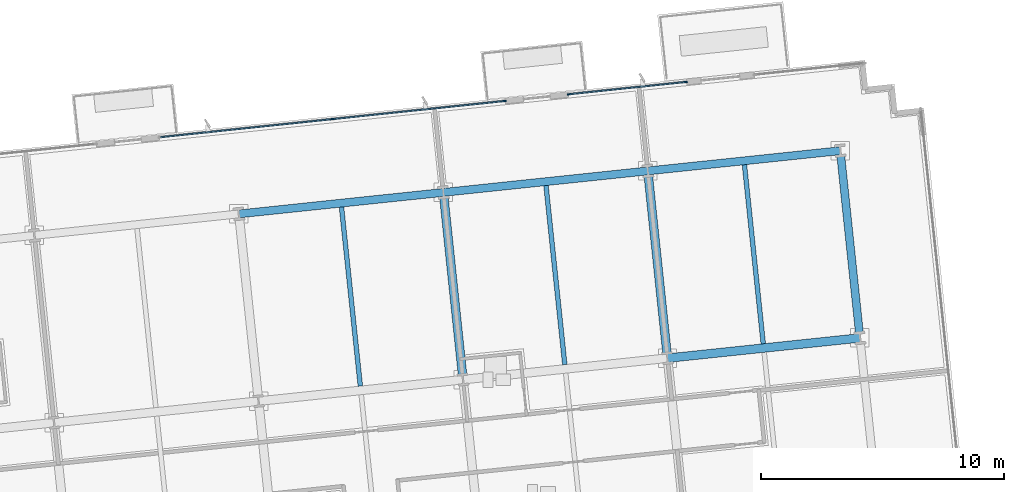
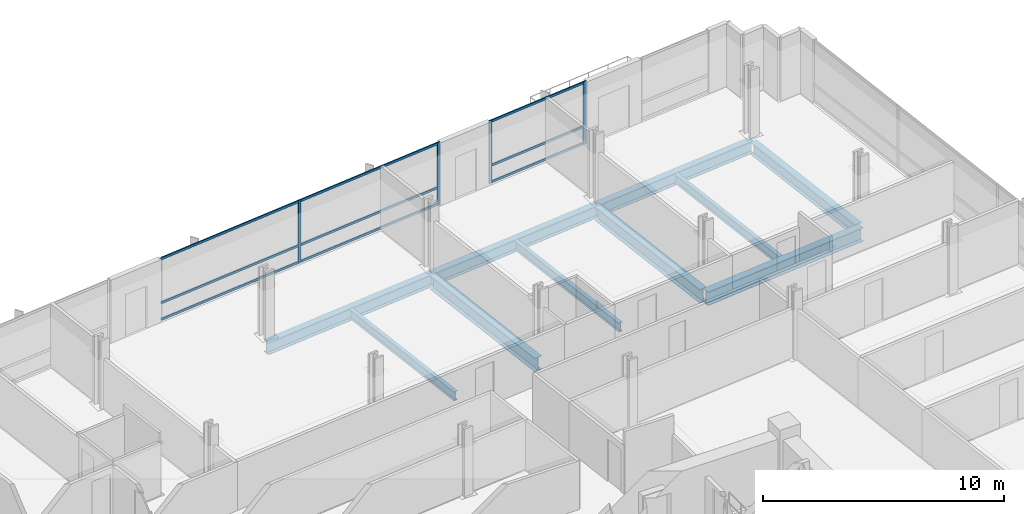
# One storey, part 10 of 21: 13 members, 10 beams, 2 elements without a shape of their own.
"""IFC4 building model written with IfcOpenShell, lengths in metres."""

from ifc_helpers import new_model, si_unit, direction, frame, origin, origin_2d, place, context, subcontext, project, spatial, rectangle, i_section, extrude, material, material_profile, profile_set, type_object, element, aggregate, save


model = new_model("IFC4")

# Units and contexts
model_context = context("Model", 3, precision=1e-05, world=origin(), true_north=direction((0.0, 1.0)))
body_context = subcontext(model_context, "Body", "Model", "MODEL_VIEW")
ifc_project = project(units=[si_unit("LENGTHUNIT", "METRE"), si_unit("AREAUNIT", "SQUARE_METRE"), si_unit("VOLUMEUNIT", "CUBIC_METRE"), si_unit("PLANEANGLEUNIT", "RADIAN"), si_unit("MASSUNIT", "GRAM", prefix="KILO")], contexts=[model_context])

# Site, building, storey
site_placement = place(None, origin())
site = spatial("IfcSite", under=ifc_project, at=site_placement, CompositionType="ELEMENT")
building_placement = place(site_placement, origin())
building = spatial("IfcBuilding", under=site, at=building_placement, Name="Solmavex Isthmus Hotel", CompositionType="ELEMENT")
storey_placement = place(building_placement, frame((0.0, 0.0, 106.35009765625)))
storey = spatial("IfcBuildingStorey", under=building, at=storey_placement, Name="L28", CompositionType="ELEMENT", Elevation=106.35009765625)

# Beams
ifc_material_1 = material(Name="Steel ASTM A992 Grade 50", Category="steel")
ifc_material_profile_1 = material_profile(ifc_material_1, i_section(OverallWidth=0.354736328125, OverallDepth=0.695556640625, WebThickness=0.015380859375, FlangeThickness=0.02490234375, FilletRadius=0.017822265625, at=origin_2d()), Name="W27X146")
ifc_profile_set_1 = profile_set([ifc_material_profile_1], Name="Steel ASTM A992 Grade 50")
beam_type_1 = type_object("IfcBeamType", Name="BM-BG-W27X146", PredefinedType="BEAM", material=ifc_profile_set_1)
beam_1_placement = place(storey_placement, frame((20.5615234375, 11.921875, -0.60791015625), z_axis=(0.994523402738, 0.104514120609, 0.0), x_axis=(-0.104514120609, 0.994523402738, 0.0)))
element("IfcBeam", 1, at=beam_1_placement, inside=storey, type_object=beam_type_1, Name="Floor Girder L28-UG18", PredefinedType="BEAM", context=body_context, shape_type="SweptSolid", body=[
    extrude(i_section(OverallWidth=0.354736328125, OverallDepth=0.695556640625, WebThickness=0.015380859375, FlangeThickness=0.02490234375, FilletRadius=0.017822265625, at=origin_2d()), origin(), (0.0, 0.0, 1.0), 7.968017578125),
])
for number, where, z_axis, x_axis, name in (
    (2, (12.123291015625, 11.21337890625, -0.60791015625), (-0.104525307271, 0.994522227072, 0.0), (-0.994522227072, -0.104525307271, 0.0), "Floor Beam L28-VG42"),
    (3, (20.54296875, 12.098388671875, -0.60791015625), (-0.1045578893, 0.994518802128, 0.0), (-0.994518802128, -0.1045578893, 0.0), "Floor Beam L28-VG45"),
):
    element("IfcBeam", number, at=place(storey_placement, frame(where, z_axis=z_axis, x_axis=x_axis)), inside=storey, type_object=beam_type_1, Name=name, PredefinedType="BEAM", context=body_context, shape_type="SweptSolid", body=[
        extrude(i_section(OverallWidth=0.354736328125, OverallDepth=0.695556640625, WebThickness=0.015380859375, FlangeThickness=0.02490234375, FilletRadius=0.017822265625, at=origin_2d()), origin(), (0.0, 0.0, 1.0), 7.4111328125),
    ])
ifc_material_profile_2 = material_profile(ifc_material_1, i_section(OverallWidth=0.1904296875, OverallDepth=0.456787109375, WebThickness=0.009033203125, FlangeThickness=0.014404296875, FilletRadius=0.0126953125, at=origin_2d()), Name="W18X50")
ifc_profile_set_2 = profile_set([ifc_material_profile_2], Name="Steel ASTM A992 Grade 50")
beam_type_2 = type_object("IfcBeamType", Name="BM-BJ-W18X50", PredefinedType="JOIST", material=ifc_profile_set_2)
beam_2_placement = place(storey_placement, frame((7.913330078125, 10.77099609375, -0.488525390625), z_axis=(-0.104525307271, 0.994522227072, 0.0), x_axis=(-0.994522227072, -0.104525307271, 0.0)))
element("IfcBeam", 4, at=beam_2_placement, inside=storey, type_object=beam_type_2, Name="Secondary Floor Joist L28-J15", PredefinedType="JOIST", context=body_context, shape_type="SweptSolid", body=[
    extrude(i_section(OverallWidth=0.1904296875, OverallDepth=0.456787109375, WebThickness=0.009033203125, FlangeThickness=0.014404296875, FilletRadius=0.0126953125, at=origin_2d()), origin(), (0.0, 0.0, 1.0), 7.4111328125),
])
for number, where, z_axis, x_axis, name in (
    (5, (16.3330078125, 11.65576171875, -0.488525390625), (-0.10452188296, 0.994522586964, 0.0), (-0.994522586964, -0.10452188296, 0.0), "Secondary Floor Joist L28-J18"),
    (6, (24.505126953125, 12.5146484375, -0.488525390625), (-0.10452188296, 0.994522586964, 0.0), (-0.994522586964, -0.10452188296, 0.0), "Secondary Floor Joist L28-J21"),
):
    element("IfcBeam", number, at=place(storey_placement, frame(where, z_axis=z_axis, x_axis=x_axis)), inside=storey, type_object=beam_type_2, Name=name, PredefinedType="JOIST", context=body_context, shape_type="SweptSolid", body=[
        extrude(i_section(OverallWidth=0.1904296875, OverallDepth=0.456787109375, WebThickness=0.009033203125, FlangeThickness=0.014404296875, FilletRadius=0.0126953125, at=origin_2d()), origin(), (0.0, 0.0, 1.0), 7.411376953125),
    ])
ifc_material_profile_3 = material_profile(ifc_material_1, i_section(OverallWidth=0.326416015625, OverallDepth=0.621826171875, WebThickness=0.015380859375, FlangeThickness=0.0244140625, FilletRadius=0.01513671875, at=origin_2d()), Name="W24X131")
ifc_profile_set_3 = profile_set([ifc_material_profile_3], Name="Steel ASTM A992 Grade 50")
beam_type_3 = type_object("IfcBeamType", Name="BM-SP-W24X131", PredefinedType="SPANDREL", material=ifc_profile_set_3)
for number, where, z_axis, x_axis, name in (
    (7, (2.911865234375, 17.861572265625, -0.571044921875), (0.994521085209, 0.104536171134, 0.0), (-0.104536171134, 0.994521085209, 0.0), "Floor Girder L28-UG22"),
    (8, (11.33154296875, 18.74658203125, -0.571044921875), (0.994524082861, 0.104507648572, 0.0), (-0.104507648572, 0.994524082861, 0.0), "Floor Girder L28-UG23"),
):
    element("IfcBeam", number, at=place(storey_placement, frame(where, z_axis=z_axis, x_axis=x_axis)), inside=storey, type_object=beam_type_3, Name=name, PredefinedType="SPANDREL", context=body_context, shape_type="SweptSolid", body=[
        extrude(i_section(OverallWidth=0.326416015625, OverallDepth=0.621826171875, WebThickness=0.015380859375, FlangeThickness=0.0244140625, FilletRadius=0.01513671875, at=origin_2d()), origin(), (0.0, 0.0, 1.0), 8.466064453125),
    ])
beam_3_placement = place(storey_placement, frame((19.751220703125, 19.63134765625, -0.571044921875), z_axis=(0.994520217478, 0.10454442609, 0.0), x_axis=(-0.10454442609, 0.994520217478, 0.0)))
element("IfcBeam", 9, at=beam_3_placement, inside=storey, type_object=beam_type_3, Name="Floor Girder L28-UG24", PredefinedType="SPANDREL", context=body_context, shape_type="SweptSolid", body=[
    extrude(i_section(OverallWidth=0.326416015625, OverallDepth=0.621826171875, WebThickness=0.015380859375, FlangeThickness=0.0244140625, FilletRadius=0.01513671875, at=origin_2d()), origin(), (0.0, 0.0, 1.0), 7.968017578125),
])
beam_4_placement = place(storey_placement, frame((28.46728515625, 12.93115234375, -0.571044921875), z_axis=(-0.10452188296, 0.994522586964, 0.0), x_axis=(-0.994522586964, -0.10452188296, 0.0)))
element("IfcBeam", 10, at=beam_4_placement, inside=storey, type_object=beam_type_3, Name="Floor Beam L28-VG48", PredefinedType="SPANDREL", context=body_context, shape_type="SweptSolid", body=[
    extrude(i_section(OverallWidth=0.326416015625, OverallDepth=0.621826171875, WebThickness=0.015380859375, FlangeThickness=0.0244140625, FilletRadius=0.01513671875, at=origin_2d()), origin(), (0.0, 0.0, 1.0), 7.411376953125),
])

# Curtain wall, members
ifc_material_2 = material(Name="Aluminium alloy 6063-T6", Category="aluminium")
curtain_wall_type = type_object("IfcCurtainWallType", Name="CW-SYS-06", PredefinedType="NOTDEFINED", material=ifc_material_2)
curtain_wall_1_placement = place(storey_placement, origin())
curtain_wall_1 = element("IfcCurtainWall", 11, at=curtain_wall_1_placement, inside=storey, type_object=curtain_wall_type, Name="Stick Curtain Wall CWL-L28-N2", PredefinedType="NOTDEFINED")
ifc_material_profile_4 = material_profile(ifc_material_2, rectangle(XDim=0.06005859375, YDim=0.139892578125, at=origin_2d()), Name="CWM-60X140")
ifc_profile_set_4 = profile_set([ifc_material_profile_4], Name="Aluminium alloy 6063-T6")
member_type_1 = type_object("IfcMemberType", Name="CW-SYS-06-MUL", PredefinedType="MULLION", material=ifc_profile_set_4)
member_1_placement = place(storey_placement, frame((6.7578125, 21.764892578125, 0.0), z_axis=(0.0, 0.0, 1.0), x_axis=(-0.10452900389, 0.994521838546, 0.0)))
member_1 = element("IfcMember", 12, at=member_1_placement, type_object=member_type_1, Name="CW-06 mullion 2", PredefinedType="MULLION", context=body_context, shape_type="SweptSolid", body=[
    extrude(rectangle(XDim=0.06005859375, YDim=0.139892578125, at=origin_2d()), origin(), (0.0, 0.0, 1.0), 3.18994140625),
])
member_2_placement = place(storey_placement, frame((13.854736328125, 22.5107421875, 0.0), z_axis=(0.0, 0.0, 1.0), x_axis=(-0.10452900389, 0.994521838546, 0.0)))
member_2 = element("IfcMember", 13, at=member_2_placement, type_object=member_type_1, Name="CW-06 mullion 3", PredefinedType="MULLION", context=body_context, shape_type="SweptSolid", body=[
    extrude(rectangle(XDim=0.06005859375, YDim=0.139892578125, at=origin_2d()), origin(), (0.0, 0.0, 1.0), 3.18994140625),
])

curtain_wall_2_placement = place(storey_placement, origin())
curtain_wall_2 = element("IfcCurtainWall", 14, at=curtain_wall_2_placement, inside=storey, type_object=curtain_wall_type, Name="Stick Curtain Wall CWL-L28-N3", PredefinedType="NOTDEFINED")
member_3_placement = place(storey_placement, frame((16.500244140625, 22.788818359375, 0.0), z_axis=(0.0, 0.0, 1.0), x_axis=(-0.104527694704, 0.994521976147, 0.0)))
member_3 = element("IfcMember", 15, at=member_3_placement, type_object=member_type_1, Name="CW-06 mullion 1", PredefinedType="MULLION", context=body_context, shape_type="SweptSolid", body=[
    extrude(rectangle(XDim=0.06005859375, YDim=0.139892578125, at=origin_2d()), origin(), (0.0, 0.0, 1.0), 3.18994140625),
])
member_4_placement = place(storey_placement, frame((21.314697265625, 23.294921875, 0.0), z_axis=(0.0, 0.0, 1.0), x_axis=(-0.104527694704, 0.994521976147, 0.0)))
member_4 = element("IfcMember", 16, at=member_4_placement, type_object=member_type_1, Name="CW-06 mullion 2", PredefinedType="MULLION", context=body_context, shape_type="SweptSolid", body=[
    extrude(rectangle(XDim=0.06005859375, YDim=0.139892578125, at=origin_2d()), origin(), (0.0, 0.0, 1.0), 3.18994140625),
])

# Member
ifc_material_profile_5 = material_profile(ifc_material_2, rectangle(XDim=0.06005859375, YDim=0.114990234375, at=origin_2d()), Name="CWT-60X115")
ifc_profile_set_5 = profile_set([ifc_material_profile_5], Name="Aluminium alloy 6063-T6")
member_type_2 = type_object("IfcMemberType", Name="CW-SYS-06-TRN", PredefinedType="USERDEFINED", material=ifc_profile_set_5)
member_5_placement = place(storey_placement, frame((-0.30908203125, 21.022216796875, 0.057373046875), z_axis=(0.994523776414, 0.104510564764, 0.0), x_axis=(-0.104510564764, 0.994523776414, 0.0)))
member_5 = element("IfcMember", 17, at=member_5_placement, type_object=member_type_2, Name="CW-06 transom 1.1", ObjectType="TRANSOM", PredefinedType="USERDEFINED", context=body_context, shape_type="SweptSolid", body=[
    extrude(rectangle(XDim=0.06005859375, YDim=0.114990234375, at=origin_2d()), origin(), (0.0, 0.0, 1.0), 7.075927734375),
])

member_6_placement = place(storey_placement, frame((-0.30908203125, 21.022216796875, 0.89990234375), z_axis=(0.994523776414, 0.104510564764, 0.0), x_axis=(-0.104510564764, 0.994523776414, 0.0)))
member_6 = element("IfcMember", 18, at=member_6_placement, type_object=member_type_2, Name="CW-06 transom 1.2", ObjectType="TRANSOM", PredefinedType="USERDEFINED", context=body_context, shape_type="SweptSolid", body=[
    extrude(rectangle(XDim=0.06005859375, YDim=0.114990234375, at=origin_2d()), origin(), (0.0, 0.0, 1.0), 7.075927734375),
])

member_7_placement = place(storey_placement, frame((-0.30908203125, 21.022216796875, 3.13232421875), z_axis=(0.994523776414, 0.104510564764, 0.0), x_axis=(-0.104510564764, 0.994523776414, 0.0)))
member_7 = element("IfcMember", 19, at=member_7_placement, type_object=member_type_2, Name="CW-06 transom 1.3", ObjectType="TRANSOM", PredefinedType="USERDEFINED", context=body_context, shape_type="SweptSolid", body=[
    extrude(rectangle(XDim=0.06005859375, YDim=0.114990234375, at=origin_2d()), origin(), (0.0, 0.0, 1.0), 7.075927734375),
])

member_8_placement = place(storey_placement, frame((6.787841796875, 21.76806640625, 0.057373046875), z_axis=(0.994520189627, 0.104544691041, 0.0), x_axis=(-0.104544691041, 0.994520189627, 0.0)))
member_8 = element("IfcMember", 20, at=member_8_placement, type_object=member_type_2, Name="CW-06 transom 2.1", ObjectType="TRANSOM", PredefinedType="USERDEFINED", context=body_context, shape_type="SweptSolid", body=[
    extrude(rectangle(XDim=0.06005859375, YDim=0.114990234375, at=origin_2d()), origin(), (0.0, 0.0, 1.0), 7.075927734375),
])

member_9_placement = place(storey_placement, frame((6.787841796875, 21.76806640625, 0.89990234375), z_axis=(0.994520189627, 0.104544691041, 0.0), x_axis=(-0.104544691041, 0.994520189627, 0.0)))
member_9 = element("IfcMember", 21, at=member_9_placement, type_object=member_type_2, Name="CW-06 transom 2.2", ObjectType="TRANSOM", PredefinedType="USERDEFINED", context=body_context, shape_type="SweptSolid", body=[
    extrude(rectangle(XDim=0.06005859375, YDim=0.114990234375, at=origin_2d()), origin(), (0.0, 0.0, 1.0), 7.075927734375),
])

member_10_placement = place(storey_placement, frame((6.787841796875, 21.76806640625, 3.13232421875), z_axis=(0.994520189627, 0.104544691041, 0.0), x_axis=(-0.104544691041, 0.994520189627, 0.0)))
member_10 = element("IfcMember", 22, at=member_10_placement, type_object=member_type_2, Name="CW-06 transom 2.3", ObjectType="TRANSOM", PredefinedType="USERDEFINED", context=body_context, shape_type="SweptSolid", body=[
    extrude(rectangle(XDim=0.06005859375, YDim=0.114990234375, at=origin_2d()), origin(), (0.0, 0.0, 1.0), 7.075927734375),
])

aggregate(curtain_wall_1, [member_1, member_2, member_5, member_6, member_7, member_8, member_9, member_10])

member_11_placement = place(storey_placement, frame((16.530029296875, 22.7919921875, 0.057373046875), z_axis=(0.994521948909, 0.104527953862, 0.0), x_axis=(-0.104527953862, 0.994521948909, 0.0)))
member_11 = element("IfcMember", 23, at=member_11_placement, type_object=member_type_2, Name="CW-06 transom 1.1", ObjectType="TRANSOM", PredefinedType="USERDEFINED", context=body_context, shape_type="SweptSolid", body=[
    extrude(rectangle(XDim=0.06005859375, YDim=0.114990234375, at=origin_2d()), origin(), (0.0, 0.0, 1.0), 4.781005859375),
])

member_12_placement = place(storey_placement, frame((16.530029296875, 22.7919921875, 0.89990234375), z_axis=(0.994521948909, 0.104527953862, 0.0), x_axis=(-0.104527953862, 0.994521948909, 0.0)))
member_12 = element("IfcMember", 24, at=member_12_placement, type_object=member_type_2, Name="CW-06 transom 1.2", ObjectType="TRANSOM", PredefinedType="USERDEFINED", context=body_context, shape_type="SweptSolid", body=[
    extrude(rectangle(XDim=0.06005859375, YDim=0.114990234375, at=origin_2d()), origin(), (0.0, 0.0, 1.0), 4.781005859375),
])

member_13_placement = place(storey_placement, frame((16.530029296875, 22.7919921875, 3.13232421875), z_axis=(0.994521948909, 0.104527953862, 0.0), x_axis=(-0.104527953862, 0.994521948909, 0.0)))
member_13 = element("IfcMember", 25, at=member_13_placement, type_object=member_type_2, Name="CW-06 transom 1.3", ObjectType="TRANSOM", PredefinedType="USERDEFINED", context=body_context, shape_type="SweptSolid", body=[
    extrude(rectangle(XDim=0.06005859375, YDim=0.114990234375, at=origin_2d()), origin(), (0.0, 0.0, 1.0), 4.781005859375),
])

aggregate(curtain_wall_2, [member_3, member_4, member_11, member_12, member_13])

save(model, "model.ifc")
